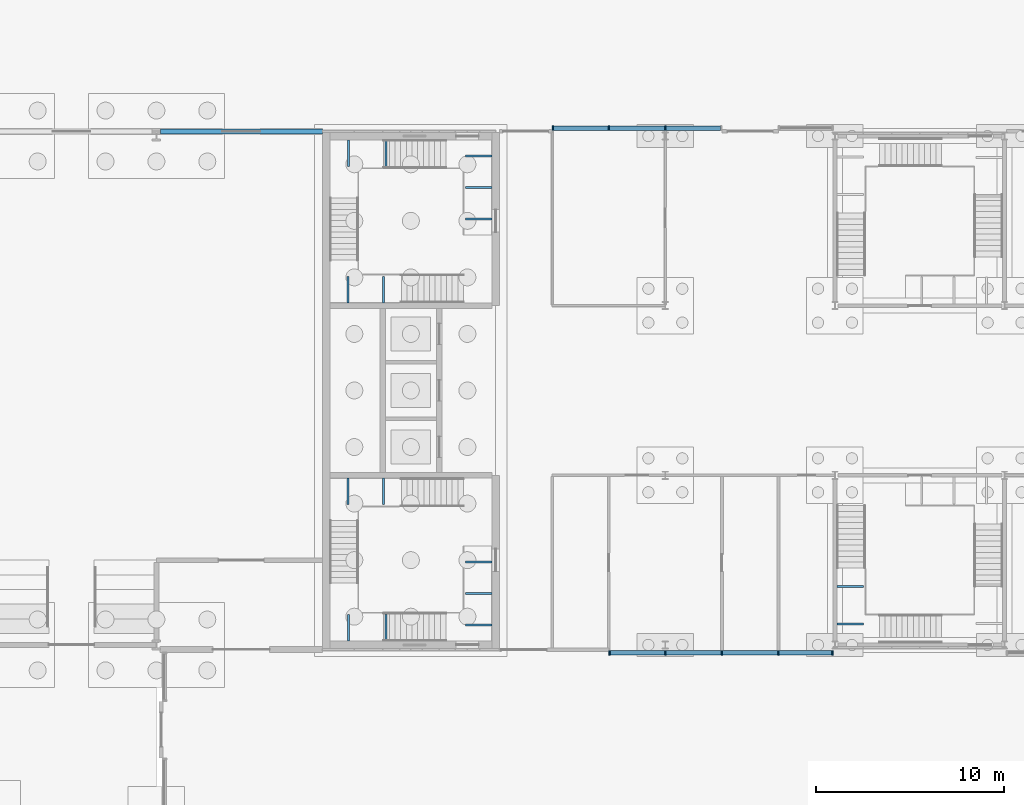
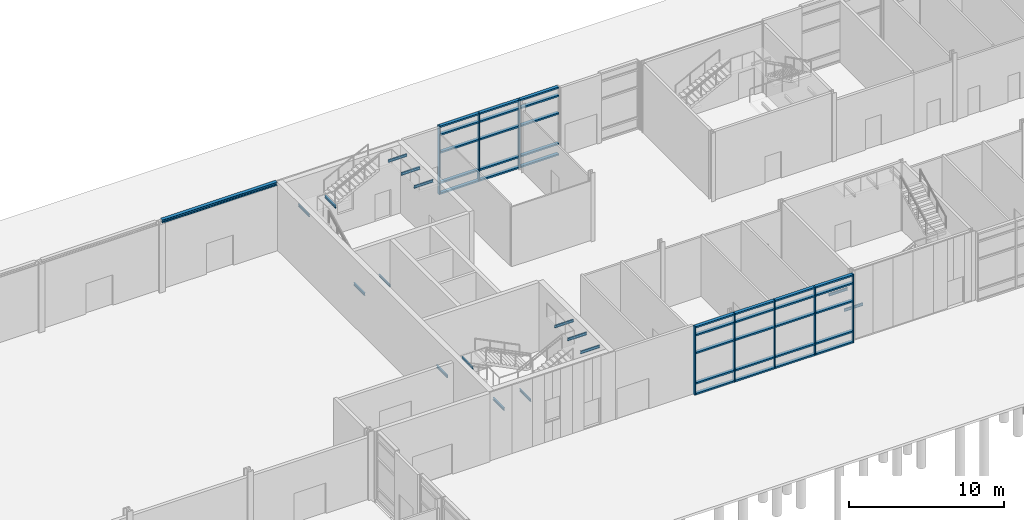
# One storey, part 18 of 45: 43 members, 17 beams, 2 elements without a shape of their own.
"""IFC4 building model written with IfcOpenShell, lengths in metres."""

from ifc_helpers import new_model, si_unit, direction, frame, origin, origin_2d, place, context, subcontext, project, spatial, rectangle, i_section, extrude, material, material_profile, profile_set, type_object, element, aggregate, save


model = new_model("IFC4")

# Units and contexts
model_context = context("Model", 3, precision=1e-05, world=origin(), true_north=direction((0.0, 1.0)))
body_context = subcontext(model_context, "Body", "Model", "MODEL_VIEW")
ifc_project = project(units=[si_unit("LENGTHUNIT", "METRE"), si_unit("AREAUNIT", "SQUARE_METRE"), si_unit("VOLUMEUNIT", "CUBIC_METRE"), si_unit("PLANEANGLEUNIT", "RADIAN"), si_unit("MASSUNIT", "GRAM", prefix="KILO")], contexts=[model_context])

# Site, building, storey
site_placement = place(None, origin())
site = spatial("IfcSite", under=ifc_project, at=site_placement, CompositionType="ELEMENT")
building_placement = place(site_placement, origin())
building = spatial("IfcBuilding", under=site, at=building_placement, Name="Azimuth Sports and Learning Centre", CompositionType="ELEMENT")
storey_placement = place(building_placement, origin())
storey = spatial("IfcBuildingStorey", under=building, at=storey_placement, Name="L00", CompositionType="ELEMENT", Elevation=0.0)

# Beams
ifc_material_1 = material(Name="Steel S355", Category="steel")
ifc_material_profile_1 = material_profile(ifc_material_1, i_section(OverallWidth=0.10009765625, OverallDepth=0.199951171875, WebThickness=0.005615234375, FlangeThickness=0.008544921875, FilletRadius=0.011962890625, at=origin_2d()), Name="IPE 200")
ifc_profile_set_1 = profile_set([ifc_material_profile_1], Name="Steel S355")
beam_type_1 = type_object("IfcBeamType", Name="Beam IPE 200", PredefinedType="BEAM", material=ifc_profile_set_1)
for number, where, z_axis, x_axis, name in (
    (1, (109.1552734375, 98.85009765625, 1.5), (0.0, -1.0, 0.0), (1.0, 0.0, 0.0), "Landing bracket E1 L00 357"),
    (2, (111.04541015625, 98.85009765625, 1.5), (0.0, -1.0, 0.0), (1.0, 0.0, 0.0), "Landing bracket E1 L00 358"),
    (3, (109.197509765625, 90.199951171875, 3.300048828125), (0.0, 1.0, 0.0), (-1.0, 0.0, 0.0), "Landing bracket E1 L00 359"),
    (4, (111.172607421875, 90.199951171875, 3.300048828125), (0.0, 1.0, 0.0), (-1.0, 0.0, 0.0), "Landing bracket E1 L00 360"),
    (5, (116.800048828125, 91.050048828125, 5.10009765625), (-1.0, 0.0, 0.0), (0.0, -1.0, 0.0), "Landing bracket E1 L00 361"),
    (6, (116.800048828125, 92.72998046875, 5.10009765625), (-1.0, 0.0, 0.0), (0.0, -1.0, 0.0), "Landing bracket E1 L00 362"),
    (7, (116.800048828125, 94.409912109375, 5.10009765625), (-1.0, 0.0, 0.0), (0.0, -1.0, 0.0), "Landing bracket E1 L00 363"),
    (8, (109.1552734375, 108.14990234375, 1.5), (0.0, 1.0, 0.0), (-1.0, 0.0, 0.0), "Landing bracket E2 L00 535"),
    (9, (111.04541015625, 108.14990234375, 1.5), (0.0, 1.0, 0.0), (-1.0, 0.0, 0.0), "Landing bracket E2 L00 536"),
    (10, (109.197509765625, 116.800048828125, 3.300048828125), (0.0, -1.0, 0.0), (1.0, 0.0, 0.0), "Landing bracket E2 L00 537"),
    (11, (111.172607421875, 116.800048828125, 3.300048828125), (0.0, -1.0, 0.0), (1.0, 0.0, 0.0), "Landing bracket E2 L00 538"),
    (12, (116.800048828125, 112.590087890625, 5.10009765625), (-1.0, 0.0, 0.0), (0.0, -1.0, 0.0), "Landing bracket E2 L00 539"),
    (13, (116.800048828125, 114.27001953125, 5.10009765625), (-1.0, 0.0, 0.0), (0.0, -1.0, 0.0), "Landing bracket E2 L00 540"),
    (14, (116.800048828125, 115.949951171875, 5.10009765625), (-1.0, 0.0, 0.0), (0.0, -1.0, 0.0), "Landing bracket E2 L00 541"),
):
    element("IfcBeam", number, at=place(storey_placement, frame(where, z_axis=z_axis, x_axis=x_axis)), inside=storey, type_object=beam_type_1, Name=name, PredefinedType="BEAM", context=body_context, shape_type="SweptSolid", body=[
        extrude(i_section(OverallWidth=0.10009765625, OverallDepth=0.199951171875, WebThickness=0.005615234375, FlangeThickness=0.008544921875, FilletRadius=0.011962890625, at=origin_2d()), origin(), (0.0, 0.0, 1.0), 1.41015625),
    ])
for number, where, z_axis, x_axis, name in (
    (15, (135.10009765625, 91.105224609375, 1.5), (1.0, 0.0, 0.0), (0.0, 1.0, 0.0), "Landing bracket EM1 L00 917"),
    (16, (135.10009765625, 93.095458984375, 1.5), (1.0, 0.0, 0.0), (0.0, 1.0, 0.0), "Landing bracket EM1 L00 918"),
):
    element("IfcBeam", number, at=place(storey_placement, frame(where, z_axis=z_axis, x_axis=x_axis)), inside=storey, type_object=beam_type_1, Name=name, PredefinedType="BEAM", context=body_context, shape_type="SweptSolid", body=[
        extrude(i_section(OverallWidth=0.10009765625, OverallDepth=0.199951171875, WebThickness=0.005615234375, FlangeThickness=0.008544921875, FilletRadius=0.011962890625, at=origin_2d()), origin(), (0.0, 0.0, 1.0), 1.409912109375),
    ])
ifc_material_2 = material(Name="Steel S355", Category="steel")
ifc_material_profile_2 = material_profile(ifc_material_2, i_section(OverallWidth=0.260009765625, OverallDepth=0.260009765625, WebThickness=0.010009765625, FlangeThickness=0.017578125, FilletRadius=0.02392578125, at=origin_2d()), Name="HEB 260")
ifc_profile_set_2 = profile_set([ifc_material_profile_2], Name="Steel S355")
beam_type_2 = type_object("IfcBeamType", Name="Edge beam HEB 260", PredefinedType="SPANDREL", material=ifc_profile_set_2)
beam_placement = place(storey_placement, frame((99.220947265625, 117.239990234375, 5.27001953125), z_axis=(1.0, 0.0, 0.0), x_axis=(0.0, 1.0, 0.0)))
element("IfcBeam", 17, at=beam_placement, inside=storey, type_object=beam_type_2, Name="Hall wall ledger beam 5", PredefinedType="SPANDREL", context=body_context, shape_type="SweptSolid", body=[
    extrude(i_section(OverallWidth=0.260009765625, OverallDepth=0.260009765625, WebThickness=0.010009765625, FlangeThickness=0.017578125, FilletRadius=0.02392578125, at=origin_2d()), origin(), (0.0, 0.0, 1.0), 8.5791015625),
])

# Curtain wall, members
ifc_material_3 = material(Name="Aluminium and glass", Category="aluminium")
curtain_wall_type = type_object("IfcCurtainWallType", Name="Curtain wall podium wing 240", PredefinedType="NOTDEFINED", material=ifc_material_3)
curtain_wall_1_placement = place(storey_placement, origin())
curtain_wall_1 = element("IfcCurtainWall", 18, at=curtain_wall_1_placement, inside=storey, type_object=curtain_wall_type, Name="Curtain wall CW00-009", PredefinedType="NOTDEFINED")
ifc_material_4 = material(Name="Aluminium", Category="aluminium")
ifc_material_profile_3 = material_profile(ifc_material_4, rectangle(XDim=0.239990234375, YDim=0.080078125, at=origin_2d()), Name="Mullion 80x240")
ifc_profile_set_3 = profile_set([ifc_material_profile_3], Name="Aluminium")
member_type_1 = type_object("IfcMemberType", Name="Mullion 80x240", PredefinedType="MULLION", material=ifc_profile_set_3)
member_1_placement = place(storey_placement, frame((123.0400390625, 89.580078125, 0.0), z_axis=(0.0, 0.0, 1.0), x_axis=(0.0, 1.0, 0.0)))
member_1 = element("IfcMember", 19, at=member_1_placement, type_object=member_type_1, Name="CW00-009 mullion 1", PredefinedType="MULLION", context=body_context, shape_type="SweptSolid", body=[
    extrude(rectangle(XDim=0.239990234375, YDim=0.080078125, at=origin_2d()), origin(), (0.0, 0.0, 1.0), 5.39990234375),
])
member_2_placement = place(storey_placement, frame((126.0, 89.580078125, 0.0), z_axis=(0.0, 0.0, 1.0), x_axis=(0.0, 1.0, 0.0)))
member_2 = element("IfcMember", 20, at=member_2_placement, type_object=member_type_1, Name="CW00-009 mullion 2", PredefinedType="MULLION", context=body_context, shape_type="SweptSolid", body=[
    extrude(rectangle(XDim=0.239990234375, YDim=0.080078125, at=origin_2d()), origin(), (0.0, 0.0, 1.0), 5.39990234375),
])
member_3_placement = place(storey_placement, frame((129.0, 89.580078125, 0.0), z_axis=(0.0, 0.0, 1.0), x_axis=(0.0, 1.0, 0.0)))
member_3 = element("IfcMember", 21, at=member_3_placement, type_object=member_type_1, Name="CW00-009 mullion 3", PredefinedType="MULLION", context=body_context, shape_type="SweptSolid", body=[
    extrude(rectangle(XDim=0.239990234375, YDim=0.080078125, at=origin_2d()), origin(), (0.0, 0.0, 1.0), 5.39990234375),
])
member_4_placement = place(storey_placement, frame((132.0, 89.580078125, 0.0), z_axis=(0.0, 0.0, 1.0), x_axis=(0.0, 1.0, 0.0)))
member_4 = element("IfcMember", 22, at=member_4_placement, type_object=member_type_1, Name="CW00-009 mullion 4", PredefinedType="MULLION", context=body_context, shape_type="SweptSolid", body=[
    extrude(rectangle(XDim=0.239990234375, YDim=0.080078125, at=origin_2d()), origin(), (0.0, 0.0, 1.0), 5.39990234375),
])
member_5_placement = place(storey_placement, frame((134.860107421875, 89.580078125, 0.0), z_axis=(0.0, 0.0, 1.0), x_axis=(0.0, 1.0, 0.0)))
member_5 = element("IfcMember", 23, at=member_5_placement, type_object=member_type_1, Name="CW00-009 mullion 5", PredefinedType="MULLION", context=body_context, shape_type="SweptSolid", body=[
    extrude(rectangle(XDim=0.239990234375, YDim=0.080078125, at=origin_2d()), origin(), (0.0, 0.0, 1.0), 5.39990234375),
])

curtain_wall_2_placement = place(storey_placement, origin())
curtain_wall_2 = element("IfcCurtainWall", 24, at=curtain_wall_2_placement, inside=storey, type_object=curtain_wall_type, Name="Curtain wall CW00-013", PredefinedType="NOTDEFINED")
member_6_placement = place(storey_placement, frame((126.0, 117.419921875, 0.0), z_axis=(0.0, 0.0, 1.0), x_axis=(0.0, -1.0, 0.0)))
member_6 = element("IfcMember", 25, at=member_6_placement, type_object=member_type_1, Name="CW00-013 mullion 2", PredefinedType="MULLION", context=body_context, shape_type="SweptSolid", body=[
    extrude(rectangle(XDim=0.239990234375, YDim=0.080078125, at=origin_2d()), origin(), (0.0, 0.0, 1.0), 5.39990234375),
])
member_7_placement = place(storey_placement, frame((123.0, 117.419921875, 0.0), z_axis=(0.0, 0.0, 1.0), x_axis=(0.0, -1.0, 0.0)))
member_7 = element("IfcMember", 26, at=member_7_placement, type_object=member_type_1, Name="CW00-013 mullion 3", PredefinedType="MULLION", context=body_context, shape_type="SweptSolid", body=[
    extrude(rectangle(XDim=0.239990234375, YDim=0.080078125, at=origin_2d()), origin(), (0.0, 0.0, 1.0), 5.39990234375),
])
member_8_placement = place(storey_placement, frame((120.0400390625, 117.419921875, 0.0), z_axis=(0.0, 0.0, 1.0), x_axis=(0.0, -1.0, 0.0)))
member_8 = element("IfcMember", 27, at=member_8_placement, type_object=member_type_1, Name="CW00-013 mullion 4", PredefinedType="MULLION", context=body_context, shape_type="SweptSolid", body=[
    extrude(rectangle(XDim=0.239990234375, YDim=0.080078125, at=origin_2d()), origin(), (0.0, 0.0, 1.0), 5.39990234375),
])

# Member
ifc_material_5 = material(Name="Aluminium", Category="aluminium")
ifc_material_profile_4 = material_profile(ifc_material_5, rectangle(XDim=0.239990234375, YDim=0.1201171875, at=origin_2d()), Name="Transom 120x240")
ifc_profile_set_4 = profile_set([ifc_material_profile_4], Name="Aluminium")
member_type_2 = type_object("IfcMemberType", Name="Transom 120x240", PredefinedType="USERDEFINED", material=ifc_profile_set_4)
member_9_placement = place(storey_placement, frame((123.080078125, 89.580078125, 0.06005859375), z_axis=(1.0, 0.0, 0.0), x_axis=(0.0, 1.0, 0.0)))
member_9 = element("IfcMember", 28, at=member_9_placement, type_object=member_type_2, Name="CW00-009 transom 1.1", ObjectType="TRANSOM", PredefinedType="USERDEFINED", context=body_context, shape_type="SweptSolid", body=[
    extrude(rectangle(XDim=0.239990234375, YDim=0.1201171875, at=origin_2d()), origin(), (0.0, 0.0, 1.0), 2.8798828125),
])

member_10_placement = place(storey_placement, frame((123.080078125, 89.580078125, 0.89990234375), z_axis=(1.0, 0.0, 0.0), x_axis=(0.0, 1.0, 0.0)))
member_10 = element("IfcMember", 29, at=member_10_placement, type_object=member_type_2, Name="CW00-009 transom 1.2", ObjectType="TRANSOM", PredefinedType="USERDEFINED", context=body_context, shape_type="SweptSolid", body=[
    extrude(rectangle(XDim=0.239990234375, YDim=0.1201171875, at=origin_2d()), origin(), (0.0, 0.0, 1.0), 2.8798828125),
])

member_11_placement = place(storey_placement, frame((123.080078125, 89.580078125, 3.300048828125), z_axis=(1.0, 0.0, 0.0), x_axis=(0.0, 1.0, 0.0)))
member_11 = element("IfcMember", 30, at=member_11_placement, type_object=member_type_2, Name="CW00-009 transom 1.3", ObjectType="TRANSOM", PredefinedType="USERDEFINED", context=body_context, shape_type="SweptSolid", body=[
    extrude(rectangle(XDim=0.239990234375, YDim=0.1201171875, at=origin_2d()), origin(), (0.0, 0.0, 1.0), 2.8798828125),
])

member_12_placement = place(storey_placement, frame((123.080078125, 89.580078125, 4.699951171875), z_axis=(1.0, 0.0, 0.0), x_axis=(0.0, 1.0, 0.0)))
member_12 = element("IfcMember", 31, at=member_12_placement, type_object=member_type_2, Name="CW00-009 transom 1.4", ObjectType="TRANSOM", PredefinedType="USERDEFINED", context=body_context, shape_type="SweptSolid", body=[
    extrude(rectangle(XDim=0.239990234375, YDim=0.1201171875, at=origin_2d()), origin(), (0.0, 0.0, 1.0), 2.8798828125),
])

member_13_placement = place(storey_placement, frame((123.080078125, 89.580078125, 5.340087890625), z_axis=(1.0, 0.0, 0.0), x_axis=(0.0, 1.0, 0.0)))
member_13 = element("IfcMember", 32, at=member_13_placement, type_object=member_type_2, Name="CW00-009 transom 1.5", ObjectType="TRANSOM", PredefinedType="USERDEFINED", context=body_context, shape_type="SweptSolid", body=[
    extrude(rectangle(XDim=0.239990234375, YDim=0.1201171875, at=origin_2d()), origin(), (0.0, 0.0, 1.0), 2.8798828125),
])

member_14_placement = place(storey_placement, frame((126.0400390625, 89.580078125, 0.06005859375), z_axis=(1.0, 0.0, 0.0), x_axis=(0.0, 1.0, 0.0)))
member_14 = element("IfcMember", 33, at=member_14_placement, type_object=member_type_2, Name="CW00-009 transom 2.1", ObjectType="TRANSOM", PredefinedType="USERDEFINED", context=body_context, shape_type="SweptSolid", body=[
    extrude(rectangle(XDim=0.239990234375, YDim=0.1201171875, at=origin_2d()), origin(), (0.0, 0.0, 1.0), 2.919921875),
])

member_15_placement = place(storey_placement, frame((126.0400390625, 89.580078125, 0.89990234375), z_axis=(1.0, 0.0, 0.0), x_axis=(0.0, 1.0, 0.0)))
member_15 = element("IfcMember", 34, at=member_15_placement, type_object=member_type_2, Name="CW00-009 transom 2.2", ObjectType="TRANSOM", PredefinedType="USERDEFINED", context=body_context, shape_type="SweptSolid", body=[
    extrude(rectangle(XDim=0.239990234375, YDim=0.1201171875, at=origin_2d()), origin(), (0.0, 0.0, 1.0), 2.919921875),
])

member_16_placement = place(storey_placement, frame((126.0400390625, 89.580078125, 3.300048828125), z_axis=(1.0, 0.0, 0.0), x_axis=(0.0, 1.0, 0.0)))
member_16 = element("IfcMember", 35, at=member_16_placement, type_object=member_type_2, Name="CW00-009 transom 2.3", ObjectType="TRANSOM", PredefinedType="USERDEFINED", context=body_context, shape_type="SweptSolid", body=[
    extrude(rectangle(XDim=0.239990234375, YDim=0.1201171875, at=origin_2d()), origin(), (0.0, 0.0, 1.0), 2.919921875),
])

member_17_placement = place(storey_placement, frame((126.0400390625, 89.580078125, 4.699951171875), z_axis=(1.0, 0.0, 0.0), x_axis=(0.0, 1.0, 0.0)))
member_17 = element("IfcMember", 36, at=member_17_placement, type_object=member_type_2, Name="CW00-009 transom 2.4", ObjectType="TRANSOM", PredefinedType="USERDEFINED", context=body_context, shape_type="SweptSolid", body=[
    extrude(rectangle(XDim=0.239990234375, YDim=0.1201171875, at=origin_2d()), origin(), (0.0, 0.0, 1.0), 2.919921875),
])

member_18_placement = place(storey_placement, frame((126.0400390625, 89.580078125, 5.340087890625), z_axis=(1.0, 0.0, 0.0), x_axis=(0.0, 1.0, 0.0)))
member_18 = element("IfcMember", 37, at=member_18_placement, type_object=member_type_2, Name="CW00-009 transom 2.5", ObjectType="TRANSOM", PredefinedType="USERDEFINED", context=body_context, shape_type="SweptSolid", body=[
    extrude(rectangle(XDim=0.239990234375, YDim=0.1201171875, at=origin_2d()), origin(), (0.0, 0.0, 1.0), 2.919921875),
])

member_19_placement = place(storey_placement, frame((129.0400390625, 89.580078125, 0.06005859375), z_axis=(1.0, 0.0, 0.0), x_axis=(0.0, 1.0, 0.0)))
member_19 = element("IfcMember", 38, at=member_19_placement, type_object=member_type_2, Name="CW00-009 transom 3.1", ObjectType="TRANSOM", PredefinedType="USERDEFINED", context=body_context, shape_type="SweptSolid", body=[
    extrude(rectangle(XDim=0.239990234375, YDim=0.1201171875, at=origin_2d()), origin(), (0.0, 0.0, 1.0), 2.919921875),
])

member_20_placement = place(storey_placement, frame((129.0400390625, 89.580078125, 0.89990234375), z_axis=(1.0, 0.0, 0.0), x_axis=(0.0, 1.0, 0.0)))
member_20 = element("IfcMember", 39, at=member_20_placement, type_object=member_type_2, Name="CW00-009 transom 3.2", ObjectType="TRANSOM", PredefinedType="USERDEFINED", context=body_context, shape_type="SweptSolid", body=[
    extrude(rectangle(XDim=0.239990234375, YDim=0.1201171875, at=origin_2d()), origin(), (0.0, 0.0, 1.0), 2.919921875),
])

member_21_placement = place(storey_placement, frame((129.0400390625, 89.580078125, 3.300048828125), z_axis=(1.0, 0.0, 0.0), x_axis=(0.0, 1.0, 0.0)))
member_21 = element("IfcMember", 40, at=member_21_placement, type_object=member_type_2, Name="CW00-009 transom 3.3", ObjectType="TRANSOM", PredefinedType="USERDEFINED", context=body_context, shape_type="SweptSolid", body=[
    extrude(rectangle(XDim=0.239990234375, YDim=0.1201171875, at=origin_2d()), origin(), (0.0, 0.0, 1.0), 2.919921875),
])

member_22_placement = place(storey_placement, frame((129.0400390625, 89.580078125, 4.699951171875), z_axis=(1.0, 0.0, 0.0), x_axis=(0.0, 1.0, 0.0)))
member_22 = element("IfcMember", 41, at=member_22_placement, type_object=member_type_2, Name="CW00-009 transom 3.4", ObjectType="TRANSOM", PredefinedType="USERDEFINED", context=body_context, shape_type="SweptSolid", body=[
    extrude(rectangle(XDim=0.239990234375, YDim=0.1201171875, at=origin_2d()), origin(), (0.0, 0.0, 1.0), 2.919921875),
])

member_23_placement = place(storey_placement, frame((129.0400390625, 89.580078125, 5.340087890625), z_axis=(1.0, 0.0, 0.0), x_axis=(0.0, 1.0, 0.0)))
member_23 = element("IfcMember", 42, at=member_23_placement, type_object=member_type_2, Name="CW00-009 transom 3.5", ObjectType="TRANSOM", PredefinedType="USERDEFINED", context=body_context, shape_type="SweptSolid", body=[
    extrude(rectangle(XDim=0.239990234375, YDim=0.1201171875, at=origin_2d()), origin(), (0.0, 0.0, 1.0), 2.919921875),
])

member_24_placement = place(storey_placement, frame((132.0400390625, 89.580078125, 0.06005859375), z_axis=(1.0, 0.0, 0.0), x_axis=(0.0, 1.0, 0.0)))
member_24 = element("IfcMember", 43, at=member_24_placement, type_object=member_type_2, Name="CW00-009 transom 4.1", ObjectType="TRANSOM", PredefinedType="USERDEFINED", context=body_context, shape_type="SweptSolid", body=[
    extrude(rectangle(XDim=0.239990234375, YDim=0.1201171875, at=origin_2d()), origin(), (0.0, 0.0, 1.0), 2.780029296875),
])

member_25_placement = place(storey_placement, frame((132.0400390625, 89.580078125, 0.89990234375), z_axis=(1.0, 0.0, 0.0), x_axis=(0.0, 1.0, 0.0)))
member_25 = element("IfcMember", 44, at=member_25_placement, type_object=member_type_2, Name="CW00-009 transom 4.2", ObjectType="TRANSOM", PredefinedType="USERDEFINED", context=body_context, shape_type="SweptSolid", body=[
    extrude(rectangle(XDim=0.239990234375, YDim=0.1201171875, at=origin_2d()), origin(), (0.0, 0.0, 1.0), 2.780029296875),
])

member_26_placement = place(storey_placement, frame((132.0400390625, 89.580078125, 3.300048828125), z_axis=(1.0, 0.0, 0.0), x_axis=(0.0, 1.0, 0.0)))
member_26 = element("IfcMember", 45, at=member_26_placement, type_object=member_type_2, Name="CW00-009 transom 4.3", ObjectType="TRANSOM", PredefinedType="USERDEFINED", context=body_context, shape_type="SweptSolid", body=[
    extrude(rectangle(XDim=0.239990234375, YDim=0.1201171875, at=origin_2d()), origin(), (0.0, 0.0, 1.0), 2.780029296875),
])

member_27_placement = place(storey_placement, frame((132.0400390625, 89.580078125, 4.699951171875), z_axis=(1.0, 0.0, 0.0), x_axis=(0.0, 1.0, 0.0)))
member_27 = element("IfcMember", 46, at=member_27_placement, type_object=member_type_2, Name="CW00-009 transom 4.4", ObjectType="TRANSOM", PredefinedType="USERDEFINED", context=body_context, shape_type="SweptSolid", body=[
    extrude(rectangle(XDim=0.239990234375, YDim=0.1201171875, at=origin_2d()), origin(), (0.0, 0.0, 1.0), 2.780029296875),
])

member_28_placement = place(storey_placement, frame((132.0400390625, 89.580078125, 5.340087890625), z_axis=(1.0, 0.0, 0.0), x_axis=(0.0, 1.0, 0.0)))
member_28 = element("IfcMember", 47, at=member_28_placement, type_object=member_type_2, Name="CW00-009 transom 4.5", ObjectType="TRANSOM", PredefinedType="USERDEFINED", context=body_context, shape_type="SweptSolid", body=[
    extrude(rectangle(XDim=0.239990234375, YDim=0.1201171875, at=origin_2d()), origin(), (0.0, 0.0, 1.0), 2.780029296875),
])

aggregate(curtain_wall_1, [member_1, member_2, member_3, member_4, member_5, member_9, member_10, member_11, member_12, member_13, member_14, member_15, member_16, member_17, member_18, member_19, member_20, member_21, member_22, member_23, member_24, member_25, member_26, member_27, member_28])

member_29_placement = place(storey_placement, frame((128.919921875, 117.419921875, 0.06005859375), z_axis=(-1.0, 0.0, 0.0), x_axis=(0.0, -1.0, 0.0)))
member_29 = element("IfcMember", 48, at=member_29_placement, type_object=member_type_2, Name="CW00-013 transom 1.1", ObjectType="TRANSOM", PredefinedType="USERDEFINED", context=body_context, shape_type="SweptSolid", body=[
    extrude(rectangle(XDim=0.239990234375, YDim=0.1201171875, at=origin_2d()), origin(), (0.0, 0.0, 1.0), 2.8798828125),
])

member_30_placement = place(storey_placement, frame((128.919921875, 117.419921875, 0.89990234375), z_axis=(-1.0, 0.0, 0.0), x_axis=(0.0, -1.0, 0.0)))
member_30 = element("IfcMember", 49, at=member_30_placement, type_object=member_type_2, Name="CW00-013 transom 1.2", ObjectType="TRANSOM", PredefinedType="USERDEFINED", context=body_context, shape_type="SweptSolid", body=[
    extrude(rectangle(XDim=0.239990234375, YDim=0.1201171875, at=origin_2d()), origin(), (0.0, 0.0, 1.0), 2.8798828125),
])

member_31_placement = place(storey_placement, frame((128.919921875, 117.419921875, 3.300048828125), z_axis=(-1.0, 0.0, 0.0), x_axis=(0.0, -1.0, 0.0)))
member_31 = element("IfcMember", 50, at=member_31_placement, type_object=member_type_2, Name="CW00-013 transom 1.3", ObjectType="TRANSOM", PredefinedType="USERDEFINED", context=body_context, shape_type="SweptSolid", body=[
    extrude(rectangle(XDim=0.239990234375, YDim=0.1201171875, at=origin_2d()), origin(), (0.0, 0.0, 1.0), 2.8798828125),
])

member_32_placement = place(storey_placement, frame((128.919921875, 117.419921875, 4.699951171875), z_axis=(-1.0, 0.0, 0.0), x_axis=(0.0, -1.0, 0.0)))
member_32 = element("IfcMember", 51, at=member_32_placement, type_object=member_type_2, Name="CW00-013 transom 1.4", ObjectType="TRANSOM", PredefinedType="USERDEFINED", context=body_context, shape_type="SweptSolid", body=[
    extrude(rectangle(XDim=0.239990234375, YDim=0.1201171875, at=origin_2d()), origin(), (0.0, 0.0, 1.0), 2.8798828125),
])

member_33_placement = place(storey_placement, frame((128.919921875, 117.419921875, 5.340087890625), z_axis=(-1.0, 0.0, 0.0), x_axis=(0.0, -1.0, 0.0)))
member_33 = element("IfcMember", 52, at=member_33_placement, type_object=member_type_2, Name="CW00-013 transom 1.5", ObjectType="TRANSOM", PredefinedType="USERDEFINED", context=body_context, shape_type="SweptSolid", body=[
    extrude(rectangle(XDim=0.239990234375, YDim=0.1201171875, at=origin_2d()), origin(), (0.0, 0.0, 1.0), 2.8798828125),
])

member_34_placement = place(storey_placement, frame((125.9599609375, 117.419921875, 0.06005859375), z_axis=(-1.0, 0.0, 0.0), x_axis=(0.0, -1.0, 0.0)))
member_34 = element("IfcMember", 53, at=member_34_placement, type_object=member_type_2, Name="CW00-013 transom 2.1", ObjectType="TRANSOM", PredefinedType="USERDEFINED", context=body_context, shape_type="SweptSolid", body=[
    extrude(rectangle(XDim=0.239990234375, YDim=0.1201171875, at=origin_2d()), origin(), (0.0, 0.0, 1.0), 2.919921875),
])

member_35_placement = place(storey_placement, frame((125.9599609375, 117.419921875, 0.89990234375), z_axis=(-1.0, 0.0, 0.0), x_axis=(0.0, -1.0, 0.0)))
member_35 = element("IfcMember", 54, at=member_35_placement, type_object=member_type_2, Name="CW00-013 transom 2.2", ObjectType="TRANSOM", PredefinedType="USERDEFINED", context=body_context, shape_type="SweptSolid", body=[
    extrude(rectangle(XDim=0.239990234375, YDim=0.1201171875, at=origin_2d()), origin(), (0.0, 0.0, 1.0), 2.919921875),
])

member_36_placement = place(storey_placement, frame((125.9599609375, 117.419921875, 3.300048828125), z_axis=(-1.0, 0.0, 0.0), x_axis=(0.0, -1.0, 0.0)))
member_36 = element("IfcMember", 55, at=member_36_placement, type_object=member_type_2, Name="CW00-013 transom 2.3", ObjectType="TRANSOM", PredefinedType="USERDEFINED", context=body_context, shape_type="SweptSolid", body=[
    extrude(rectangle(XDim=0.239990234375, YDim=0.1201171875, at=origin_2d()), origin(), (0.0, 0.0, 1.0), 2.919921875),
])

member_37_placement = place(storey_placement, frame((125.9599609375, 117.419921875, 4.699951171875), z_axis=(-1.0, 0.0, 0.0), x_axis=(0.0, -1.0, 0.0)))
member_37 = element("IfcMember", 56, at=member_37_placement, type_object=member_type_2, Name="CW00-013 transom 2.4", ObjectType="TRANSOM", PredefinedType="USERDEFINED", context=body_context, shape_type="SweptSolid", body=[
    extrude(rectangle(XDim=0.239990234375, YDim=0.1201171875, at=origin_2d()), origin(), (0.0, 0.0, 1.0), 2.919921875),
])

member_38_placement = place(storey_placement, frame((125.9599609375, 117.419921875, 5.340087890625), z_axis=(-1.0, 0.0, 0.0), x_axis=(0.0, -1.0, 0.0)))
member_38 = element("IfcMember", 57, at=member_38_placement, type_object=member_type_2, Name="CW00-013 transom 2.5", ObjectType="TRANSOM", PredefinedType="USERDEFINED", context=body_context, shape_type="SweptSolid", body=[
    extrude(rectangle(XDim=0.239990234375, YDim=0.1201171875, at=origin_2d()), origin(), (0.0, 0.0, 1.0), 2.919921875),
])

member_39_placement = place(storey_placement, frame((122.9599609375, 117.419921875, 0.06005859375), z_axis=(-1.0, 0.0, 0.0), x_axis=(0.0, -1.0, 0.0)))
member_39 = element("IfcMember", 58, at=member_39_placement, type_object=member_type_2, Name="CW00-013 transom 3.1", ObjectType="TRANSOM", PredefinedType="USERDEFINED", context=body_context, shape_type="SweptSolid", body=[
    extrude(rectangle(XDim=0.239990234375, YDim=0.1201171875, at=origin_2d()), origin(), (0.0, 0.0, 1.0), 2.8798828125),
])

member_40_placement = place(storey_placement, frame((122.9599609375, 117.419921875, 0.89990234375), z_axis=(-1.0, 0.0, 0.0), x_axis=(0.0, -1.0, 0.0)))
member_40 = element("IfcMember", 59, at=member_40_placement, type_object=member_type_2, Name="CW00-013 transom 3.2", ObjectType="TRANSOM", PredefinedType="USERDEFINED", context=body_context, shape_type="SweptSolid", body=[
    extrude(rectangle(XDim=0.239990234375, YDim=0.1201171875, at=origin_2d()), origin(), (0.0, 0.0, 1.0), 2.8798828125),
])

member_41_placement = place(storey_placement, frame((122.9599609375, 117.419921875, 3.300048828125), z_axis=(-1.0, 0.0, 0.0), x_axis=(0.0, -1.0, 0.0)))
member_41 = element("IfcMember", 60, at=member_41_placement, type_object=member_type_2, Name="CW00-013 transom 3.3", ObjectType="TRANSOM", PredefinedType="USERDEFINED", context=body_context, shape_type="SweptSolid", body=[
    extrude(rectangle(XDim=0.239990234375, YDim=0.1201171875, at=origin_2d()), origin(), (0.0, 0.0, 1.0), 2.8798828125),
])

member_42_placement = place(storey_placement, frame((122.9599609375, 117.419921875, 4.699951171875), z_axis=(-1.0, 0.0, 0.0), x_axis=(0.0, -1.0, 0.0)))
member_42 = element("IfcMember", 61, at=member_42_placement, type_object=member_type_2, Name="CW00-013 transom 3.4", ObjectType="TRANSOM", PredefinedType="USERDEFINED", context=body_context, shape_type="SweptSolid", body=[
    extrude(rectangle(XDim=0.239990234375, YDim=0.1201171875, at=origin_2d()), origin(), (0.0, 0.0, 1.0), 2.8798828125),
])

member_43_placement = place(storey_placement, frame((122.9599609375, 117.419921875, 5.340087890625), z_axis=(-1.0, 0.0, 0.0), x_axis=(0.0, -1.0, 0.0)))
member_43 = element("IfcMember", 62, at=member_43_placement, type_object=member_type_2, Name="CW00-013 transom 3.5", ObjectType="TRANSOM", PredefinedType="USERDEFINED", context=body_context, shape_type="SweptSolid", body=[
    extrude(rectangle(XDim=0.239990234375, YDim=0.1201171875, at=origin_2d()), origin(), (0.0, 0.0, 1.0), 2.8798828125),
])

aggregate(curtain_wall_2, [member_6, member_7, member_8, member_29, member_30, member_31, member_32, member_33, member_34, member_35, member_36, member_37, member_38, member_39, member_40, member_41, member_42, member_43])

save(model, "model.ifc")
